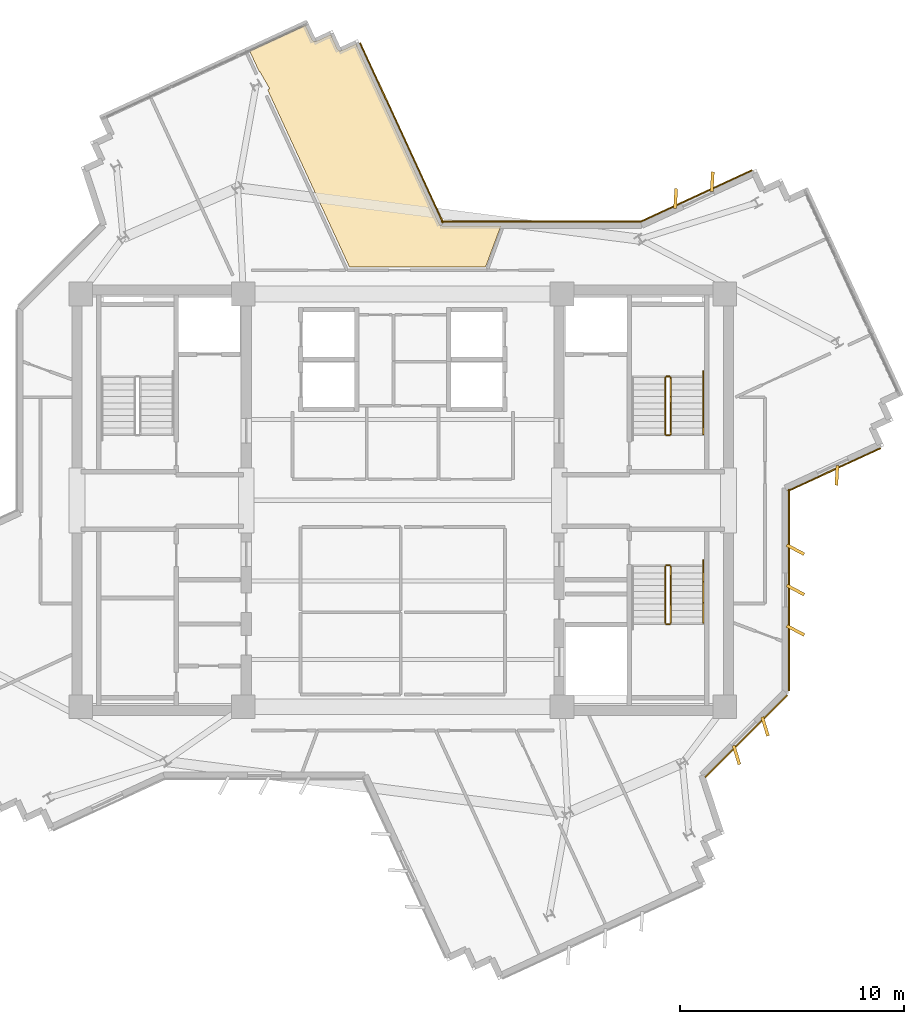
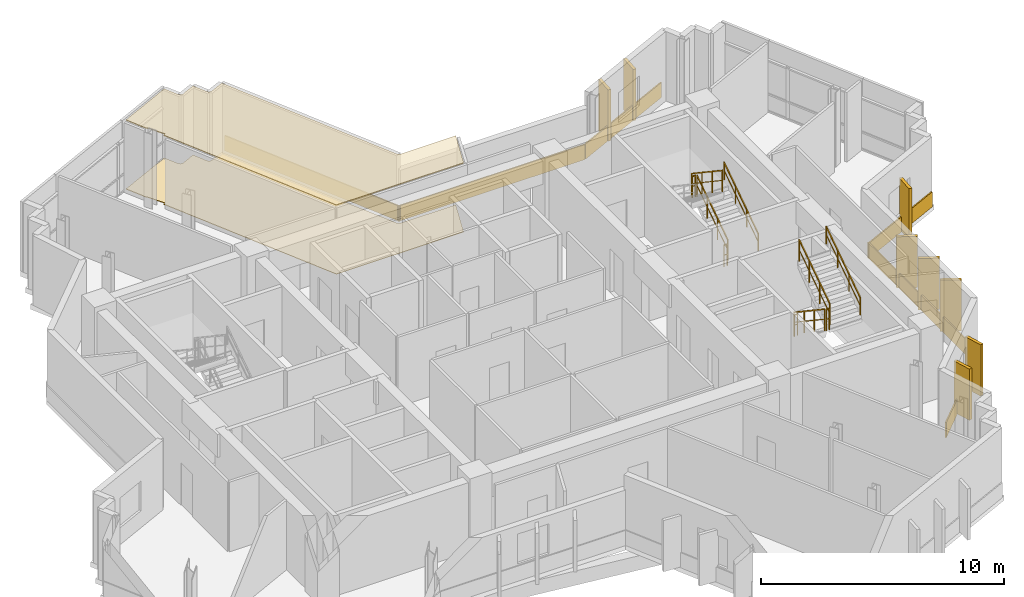
# One storey, part 12 of 12: 16 coverings, 10 railings.
"""IFC4 building model written with IfcOpenShell, lengths in metres."""

from ifc_helpers import new_model, si_unit, direction, frame, origin, origin_2d, place, context, subcontext, project, spatial, polyline, rectangle, outline, extrude, source, transform, mapped, material, layer, layer_set, type_object, element, save


model = new_model("IFC4")

# Units and contexts
model_context = context("Model", 3, precision=1e-05, world=origin(), true_north=direction((0.0, 1.0)))
body_context = subcontext(model_context, "Body", "Model", "MODEL_VIEW")
ifc_project = project(units=[si_unit("LENGTHUNIT", "METRE"), si_unit("AREAUNIT", "SQUARE_METRE"), si_unit("VOLUMEUNIT", "CUBIC_METRE"), si_unit("PLANEANGLEUNIT", "RADIAN"), si_unit("MASSUNIT", "GRAM", prefix="KILO")], contexts=[model_context])

# Site, building, storey
site_placement = place(None, origin())
site = spatial("IfcSite", under=ifc_project, at=site_placement, CompositionType="ELEMENT")
building_placement = place(site_placement, origin())
building = spatial("IfcBuilding", under=site, at=building_placement, Name="Zahravan Cultural Tower", CompositionType="ELEMENT")
storey_placement = place(building_placement, frame((0.0, 0.0, 246.60009765625)))
storey = spatial("IfcBuildingStorey", under=building, at=storey_placement, Name="L58", CompositionType="ELEMENT", Elevation=246.60009765625)

# Coverings
ifc_material_1 = material(Name="Acoustic mineral fibreboard")
ifc_layer_1 = layer(ifc_material_1, 0.0400390625)
ifc_layer_set_1 = layer_set([ifc_layer_1], Name="Acoustic mineral fibreboard")
covering_type_1 = type_object("IfcCoveringType", Name="COV-CEIL-AC20", PredefinedType="CEILING", material=ifc_layer_set_1)
covering_1_placement = place(storey_placement, frame((0.0, 0.0, 3.4599609375)))
element("IfcCovering", 1, at=covering_1_placement, inside=storey, type_object=covering_type_1, Name="L58 Acoustic Suspended Ceiling", PredefinedType="CEILING", context=body_context, shape_type="SweptSolid", body=[
    extrude(outline(polyline([(29.62890625, 46.115234375), (30.06884765625, 45.353271484375), (29.978271484375, 45.301025390625), (33.629150390625, 37.39990234375), (39.691650390625, 37.39990234375), (40.37841796875, 39.239990234375), (37.753662109375, 39.239990234375), (37.701416015625, 39.25), (37.650146484375, 39.28271484375), (37.619140625, 39.325927734375), (33.915283203125, 47.341552734375), (33.2802734375, 47.048095703125), (33.212646484375, 47.03515625), (33.13720703125, 47.058837890625), (33.086181640625, 47.110595703125), (32.787353515625, 47.756591796875), (32.15380859375, 47.464111328125), (32.100341796875, 47.451171875), (32.0380859375, 47.460693359375), (31.984130859375, 47.493896484375), (31.951904296875, 47.5380859375), (31.6591796875, 48.171630859375), (29.180908203125, 47.026611328125), (29.607666015625, 46.10302734375), (29.62890625, 46.115234375)])), origin(), (0.0, 0.0, 1.0), 0.0400390625),
])
ifc_material_2 = material(Name="Terrazzo flooring")
ifc_layer_2 = layer(ifc_material_2, 0.02490234375)
ifc_layer_set_2 = layer_set([ifc_layer_2], Name="Terrazzo flooring")
covering_type_2 = type_object("IfcCoveringType", Name="COV-FLR-TZ25", PredefinedType="FLOORING", material=ifc_layer_set_2)
covering_2_placement = place(storey_placement, origin())
element("IfcCovering", 2, at=covering_2_placement, inside=storey, type_object=covering_type_2, Name="L58 Polished Terrazzo Flooring", PredefinedType="FLOORING", context=body_context, shape_type="SweptSolid", body=[
    extrude(outline(polyline([(29.62890625, 46.115234375), (30.06884765625, 45.353271484375), (29.978271484375, 45.301025390625), (33.629150390625, 37.39990234375), (39.691650390625, 37.39990234375), (40.37841796875, 39.239990234375), (37.753662109375, 39.239990234375), (37.701416015625, 39.25), (37.650146484375, 39.28271484375), (37.619140625, 39.325927734375), (33.915283203125, 47.341552734375), (33.2802734375, 47.048095703125), (33.212646484375, 47.03515625), (33.13720703125, 47.058837890625), (33.086181640625, 47.110595703125), (32.787353515625, 47.756591796875), (32.15380859375, 47.464111328125), (32.100341796875, 47.451171875), (32.0380859375, 47.460693359375), (31.984130859375, 47.493896484375), (31.951904296875, 47.5380859375), (31.6591796875, 48.171630859375), (29.180908203125, 47.026611328125), (29.607666015625, 46.10302734375), (29.62890625, 46.115234375)])), origin(), (0.0, 0.0, 1.0), 0.02490234375),
])

# Railings
ifc_material_3 = material(Name="Steel ASTM A572 Grade 50", Category="steel")
railing_type_1 = type_object("IfcRailingType", Name="RL-STAIR-GRD1150", PredefinedType="BALUSTRADE", material=ifc_material_3)
railing_1_placement = place(storey_placement, frame((47.949951171875, 29.949951171875, 0.1875)))
element("IfcRailing", 3, at=railing_1_placement, inside=storey, type_object=railing_type_1, Name="L58 ST-E1 stair guard 1", PredefinedType="BALUSTRADE", context=body_context, shape_type="SweptSolid", body=[
    extrude(rectangle(XDim=0.05, YDim=0.05, at=origin_2d()), frame((0.0, 0.0, 1.0751953125), z_axis=(0.0, 0.830909170722, 0.55640807867), x_axis=(-1.0, 0.0, 0.0)), (0.0, 0.0, 1.0), 3.032958984375),
    extrude(rectangle(XDim=0.032, YDim=0.032, at=origin_2d()), frame((0.0, 0.0, 0.572021484375), z_axis=(0.0, 0.830909170722, 0.55640807867), x_axis=(-1.0, 0.0, 0.0)), (0.0, 0.0, 1.0), 3.032958984375),
    extrude(rectangle(XDim=0.04, YDim=0.04, at=origin_2d()), origin(), (0.0, 0.0, 1.0), 1.10009765625),
    extrude(rectangle(XDim=0.04, YDim=0.04, at=origin_2d()), frame((0.0, 0.840087890625, 0.5625)), (0.0, 0.0, 1.0), 1.10009765625),
    extrude(rectangle(XDim=0.04, YDim=0.04, at=origin_2d()), frame((0.0, 1.679931640625, 1.125)), (0.0, 0.0, 1.0), 1.10009765625),
    extrude(rectangle(XDim=0.04, YDim=0.04, at=origin_2d()), frame((0.0, 2.52001953125, 1.6875)), (0.0, 0.0, 1.0), 1.10009765625),
])
railing_2_placement = place(storey_placement, frame((47.89990234375, 32.52001953125, 1.875)))
element("IfcRailing", 4, at=railing_2_placement, inside=storey, type_object=railing_type_1, Name="L58 ST-E1 stair guard 2", PredefinedType="BALUSTRADE", context=body_context, shape_type="SweptSolid", body=[
    extrude(rectangle(XDim=0.05, YDim=0.05, at=origin_2d()), frame((0.0, 0.0, 1.0751953125), z_axis=(-1.0, 0.0, 0.0), x_axis=(0.0, -1.0, 0.0)), (0.0, 0.0, 1.0), 0.14990234375),
    extrude(rectangle(XDim=0.032, YDim=0.032, at=origin_2d()), frame((0.0, 0.0, 0.572021484375), z_axis=(-1.0, 0.0, 0.0), x_axis=(0.0, -1.0, 0.0)), (0.0, 0.0, 1.0), 0.14990234375),
    extrude(rectangle(XDim=0.04, YDim=0.04, at=origin_2d()), origin(), (0.0, 0.0, 1.0), 1.10009765625),
    extrude(rectangle(XDim=0.04, YDim=0.04, at=origin_2d()), frame((-0.14990234375, 0.0, 0.0)), (0.0, 0.0, 1.0), 1.10009765625),
])
railing_3_placement = place(storey_placement, frame((47.699951171875, 32.469970703125, 2.0625)))
element("IfcRailing", 5, at=railing_3_placement, inside=storey, type_object=railing_type_1, Name="L58 ST-E1 stair guard 3", PredefinedType="BALUSTRADE", context=body_context, shape_type="SweptSolid", body=[
    extrude(rectangle(XDim=0.05, YDim=0.05, at=origin_2d()), frame((0.0, 0.0, 1.0751953125), z_axis=(0.0, -0.830909170722, 0.55640807867), x_axis=(1.0, 0.0, 0.0)), (0.0, 0.0, 1.0), 3.032958984375),
    extrude(rectangle(XDim=0.032, YDim=0.032, at=origin_2d()), frame((0.0, 0.0, 0.572021484375), z_axis=(0.0, -0.830909170722, 0.55640807867), x_axis=(1.0, 0.0, 0.0)), (0.0, 0.0, 1.0), 3.032958984375),
    extrude(rectangle(XDim=0.04, YDim=0.04, at=origin_2d()), origin(), (0.0, 0.0, 1.0), 1.10009765625),
    extrude(rectangle(XDim=0.04, YDim=0.04, at=origin_2d()), frame((0.0, -0.840087890625, 0.5625)), (0.0, 0.0, 1.0), 1.10009765625),
    extrude(rectangle(XDim=0.04, YDim=0.04, at=origin_2d()), frame((0.0, -1.679931640625, 1.125)), (0.0, 0.0, 1.0), 1.10009765625),
    extrude(rectangle(XDim=0.04, YDim=0.04, at=origin_2d()), frame((0.0, -2.52001953125, 1.6875)), (0.0, 0.0, 1.0), 1.10009765625),
])
railing_4_placement = place(storey_placement, frame((47.89990234375, 29.89990234375, 0.0)))
element("IfcRailing", 6, at=railing_4_placement, inside=storey, type_object=railing_type_1, Name="L58 ST-E1 stair guard 4", PredefinedType="BALUSTRADE", context=body_context, shape_type="SweptSolid", body=[
    extrude(rectangle(XDim=0.05, YDim=0.05, at=origin_2d()), frame((0.0, 0.0, 1.0751953125), z_axis=(-1.0, 0.0, 0.0), x_axis=(0.0, -1.0, 0.0)), (0.0, 0.0, 1.0), 0.14990234375),
    extrude(rectangle(XDim=0.032, YDim=0.032, at=origin_2d()), frame((0.0, 0.0, 0.572021484375), z_axis=(-1.0, 0.0, 0.0), x_axis=(0.0, -1.0, 0.0)), (0.0, 0.0, 1.0), 0.14990234375),
    extrude(rectangle(XDim=0.04, YDim=0.04, at=origin_2d()), origin(), (0.0, 0.0, 1.0), 1.10009765625),
    extrude(rectangle(XDim=0.04, YDim=0.04, at=origin_2d()), frame((-0.14990234375, 0.0, 0.0)), (0.0, 0.0, 1.0), 1.10009765625),
])
railing_5_placement = place(storey_placement, frame((47.699951171875, 24.050048828125, 0.1875)))
element("IfcRailing", 7, at=railing_5_placement, inside=storey, type_object=railing_type_1, Name="L58 ST-E2 stair guard 1", PredefinedType="BALUSTRADE", context=body_context, shape_type="SweptSolid", body=[
    extrude(rectangle(XDim=0.05, YDim=0.05, at=origin_2d()), frame((0.0, 0.0, 1.0751953125), z_axis=(0.0, -0.830909170722, 0.55640807867), x_axis=(1.0, 0.0, 0.0)), (0.0, 0.0, 1.0), 3.032958984375),
    extrude(rectangle(XDim=0.032, YDim=0.032, at=origin_2d()), frame((0.0, 0.0, 0.572021484375), z_axis=(0.0, -0.830909170722, 0.55640807867), x_axis=(1.0, 0.0, 0.0)), (0.0, 0.0, 1.0), 3.032958984375),
    extrude(rectangle(XDim=0.04, YDim=0.04, at=origin_2d()), origin(), (0.0, 0.0, 1.0), 1.10009765625),
    extrude(rectangle(XDim=0.04, YDim=0.04, at=origin_2d()), frame((0.0, -0.840087890625, 0.5625)), (0.0, 0.0, 1.0), 1.10009765625),
    extrude(rectangle(XDim=0.04, YDim=0.04, at=origin_2d()), frame((0.0, -1.679931640625, 1.125)), (0.0, 0.0, 1.0), 1.10009765625),
    extrude(rectangle(XDim=0.04, YDim=0.04, at=origin_2d()), frame((0.0, -2.52001953125, 1.6875)), (0.0, 0.0, 1.0), 1.10009765625),
])
railing_6_placement = place(storey_placement, frame((47.75, 21.47998046875, 1.875)))
element("IfcRailing", 8, at=railing_6_placement, inside=storey, type_object=railing_type_1, Name="L58 ST-E2 stair guard 2", PredefinedType="BALUSTRADE", context=body_context, shape_type="SweptSolid", body=[
    extrude(rectangle(XDim=0.05, YDim=0.05, at=origin_2d()), frame((0.0, 0.0, 1.0751953125), z_axis=(1.0, 0.0, 0.0), x_axis=(0.0, 1.0, 0.0)), (0.0, 0.0, 1.0), 0.14990234375),
    extrude(rectangle(XDim=0.032, YDim=0.032, at=origin_2d()), frame((0.0, 0.0, 0.572021484375), z_axis=(1.0, 0.0, 0.0), x_axis=(0.0, 1.0, 0.0)), (0.0, 0.0, 1.0), 0.14990234375),
    extrude(rectangle(XDim=0.04, YDim=0.04, at=origin_2d()), origin(), (0.0, 0.0, 1.0), 1.10009765625),
    extrude(rectangle(XDim=0.04, YDim=0.04, at=origin_2d()), frame((0.14990234375, 0.0, 0.0)), (0.0, 0.0, 1.0), 1.10009765625),
])
railing_7_placement = place(storey_placement, frame((47.949951171875, 21.530029296875, 2.0625)))
element("IfcRailing", 9, at=railing_7_placement, inside=storey, type_object=railing_type_1, Name="L58 ST-E2 stair guard 3", PredefinedType="BALUSTRADE", context=body_context, shape_type="SweptSolid", body=[
    extrude(rectangle(XDim=0.05, YDim=0.05, at=origin_2d()), frame((0.0, 0.0, 1.0751953125), z_axis=(0.0, 0.830909170722, 0.55640807867), x_axis=(-1.0, 0.0, 0.0)), (0.0, 0.0, 1.0), 3.032958984375),
    extrude(rectangle(XDim=0.032, YDim=0.032, at=origin_2d()), frame((0.0, 0.0, 0.572021484375), z_axis=(0.0, 0.830909170722, 0.55640807867), x_axis=(-1.0, 0.0, 0.0)), (0.0, 0.0, 1.0), 3.032958984375),
    extrude(rectangle(XDim=0.04, YDim=0.04, at=origin_2d()), origin(), (0.0, 0.0, 1.0), 1.10009765625),
    extrude(rectangle(XDim=0.04, YDim=0.04, at=origin_2d()), frame((0.0, 0.840087890625, 0.5625)), (0.0, 0.0, 1.0), 1.10009765625),
    extrude(rectangle(XDim=0.04, YDim=0.04, at=origin_2d()), frame((0.0, 1.679931640625, 1.125)), (0.0, 0.0, 1.0), 1.10009765625),
    extrude(rectangle(XDim=0.04, YDim=0.04, at=origin_2d()), frame((0.0, 2.52001953125, 1.6875)), (0.0, 0.0, 1.0), 1.10009765625),
])
railing_8_placement = place(storey_placement, frame((47.75, 24.10009765625, 0.0)))
element("IfcRailing", 10, at=railing_8_placement, inside=storey, type_object=railing_type_1, Name="L58 ST-E2 stair guard 4", PredefinedType="BALUSTRADE", context=body_context, shape_type="SweptSolid", body=[
    extrude(rectangle(XDim=0.05, YDim=0.05, at=origin_2d()), frame((0.0, 0.0, 1.0751953125), z_axis=(1.0, 0.0, 0.0), x_axis=(0.0, 1.0, 0.0)), (0.0, 0.0, 1.0), 0.14990234375),
    extrude(rectangle(XDim=0.032, YDim=0.032, at=origin_2d()), frame((0.0, 0.0, 0.572021484375), z_axis=(1.0, 0.0, 0.0), x_axis=(0.0, 1.0, 0.0)), (0.0, 0.0, 1.0), 0.14990234375),
    extrude(rectangle(XDim=0.04, YDim=0.04, at=origin_2d()), origin(), (0.0, 0.0, 1.0), 1.10009765625),
    extrude(rectangle(XDim=0.04, YDim=0.04, at=origin_2d()), frame((0.14990234375, 0.0, 0.0)), (0.0, 0.0, 1.0), 1.10009765625),
])
railing_type_2 = type_object("IfcRailingType", Name="RL-STAIR-HR900", PredefinedType="HANDRAIL", material=ifc_material_3)
for number, where, name in (
    (11, (49.39990234375, 29.949951171875, 0.1875), "L58 ST-E1 stair handrail 1"),
    (12, (49.39990234375, 21.530029296875, 2.0625), "L58 ST-E2 stair handrail 2"),
):
    element("IfcRailing", number, at=place(storey_placement, frame(where)), inside=storey, type_object=railing_type_2, Name=name, PredefinedType="HANDRAIL", context=body_context, shape_type="SweptSolid", body=[
        extrude(rectangle(XDim=0.05, YDim=0.05, at=origin_2d()), frame((0.0, 0.0, 0.875), z_axis=(0.0, 0.830911662861, 0.55640435703), x_axis=(-1.0, 0.0, 0.0)), (0.0, 0.0, 1.0), 3.369873046875),
        extrude(rectangle(XDim=0.032, YDim=0.032, at=origin_2d()), frame((0.0, 0.0, 0.468017578125), z_axis=(0.0, 0.830911662861, 0.55640435703), x_axis=(-1.0, 0.0, 0.0)), (0.0, 0.0, 1.0), 3.369873046875),
        extrude(rectangle(XDim=0.04, YDim=0.04, at=origin_2d()), origin(), (0.0, 0.0, 1.0), 0.89990234375),
        extrude(rectangle(XDim=0.04, YDim=0.04, at=origin_2d()), frame((0.0, 0.933349609375, 0.625)), (0.0, 0.0, 1.0), 0.89990234375),
        extrude(rectangle(XDim=0.04, YDim=0.04, at=origin_2d()), frame((0.0, 1.86669921875, 1.25)), (0.0, 0.0, 1.0), 0.89990234375),
        extrude(rectangle(XDim=0.04, YDim=0.04, at=origin_2d()), frame((0.0, 2.800048828125, 1.875)), (0.0, 0.0, 1.0), 0.89990234375),
    ])

# Coverings
ifc_material_4 = material(Name="Terracotta ceramic cladding", Category="masonry")
ifc_layer_3 = layer(ifc_material_4, 0.06005859375)
ifc_layer_set_3 = layer_set([ifc_layer_3], Name="Terracotta ceramic cladding")
covering_type_3 = type_object("IfcCoveringType", Name="COV-CLAD-TC60", PredefinedType="CLADDING", material=ifc_layer_set_3)
shared_shape_1 = source(origin(), body_context, "Body", "SweptSolid", [
    extrude(rectangle(XDim=5.157958984375, YDim=0.06005859375, at=origin_2d()), origin(), (0.0, 0.0, 1.0), 0.760009765625),
])
covering_3_placement = place(storey_placement, frame((51.317626953125, 16.482421875, 0.02001953125), z_axis=(0.0, 0.0, 1.0), x_axis=(-0.707106781187, -0.707106781187, 0.0)))
element("IfcCovering", 13, at=covering_3_placement, inside=storey, type_object=covering_type_3, Name="L58 Terracotta Spandrel Cladding 12", PredefinedType="CLADDING", context=body_context, shape_type="MappedRepresentation", body=[
    mapped(shared_shape_1, transform((0.0, 0.0, 0.0), x_axis=(1.0, 0.0, 0.0), y_axis=(0.0, 1.0, 0.0), z_axis=(0.0, 0.0, 1.0), scale=1.0)),
])
shared_shape_2 = source(origin(), body_context, "Body", "SweptSolid", [
    extrude(rectangle(XDim=4.544189453125, YDim=0.06005859375, at=origin_2d()), origin(), (0.0, 0.0, 1.0), 0.760009765625),
])
covering_4_placement = place(storey_placement, frame((55.2373046875, 28.37060546875, 0.02001953125), z_axis=(0.0, 0.0, 1.0), x_axis=(-0.907770157575, -0.419467926088, 0.0)))
element("IfcCovering", 14, at=covering_4_placement, inside=storey, type_object=covering_type_3, Name="L58 Terracotta Spandrel Cladding 10", PredefinedType="CLADDING", context=body_context, shape_type="MappedRepresentation", body=[
    mapped(shared_shape_2, transform((0.0, 0.0, 0.0), x_axis=(1.0, 0.0, 0.0), y_axis=(0.0, 1.0, 0.0), z_axis=(0.0, 0.0, 1.0), scale=1.0)),
])
shared_shape_3 = source(origin(), body_context, "Body", "SweptSolid", [
    extrude(rectangle(XDim=5.445068359375, YDim=0.06005859375, at=origin_2d()), origin(), (0.0, 0.0, 1.0), 0.760009765625),
])
covering_5_placement = place(storey_placement, frame((49.102783203125, 40.57275390625, 0.02001953125), z_axis=(0.0, 0.0, 1.0), x_axis=(0.907777478533, 0.419452082446, 0.0)))
element("IfcCovering", 15, at=covering_5_placement, inside=storey, type_object=covering_type_3, Name="L58 Terracotta Spandrel Cladding 01", PredefinedType="CLADDING", context=body_context, shape_type="MappedRepresentation", body=[
    mapped(shared_shape_3, transform((0.0, 0.0, 0.0), x_axis=(1.0, 0.0, 0.0), y_axis=(0.0, 1.0, 0.0), z_axis=(0.0, 0.0, 1.0), scale=1.0)),
])
shared_shape_4 = source(origin(), body_context, "Body", "SweptSolid", [
    extrude(rectangle(XDim=0.8798828125, YDim=0.139892578125, at=origin_2d()), origin(), (0.0, 0.0, 1.0), 2.580078125),
])
for number, where, z_axis, x_axis, name in (
    (16, (48.166259765625, 40.453857421875, 0.0498046875), (0.0, 0.0, 1.0), (0.055821504993, 0.998440764182, 0.0), "L58 Herringbone Terracotta Fin 01"),
    (17, (49.80029296875, 41.208984375, 0.0498046875), (0.0, 0.0, 1.0), (0.055821504993, 0.998440764182, 0.0), "L58 Herringbone Terracotta Fin 02"),
    (18, (55.356689453125, 28.11181640625, 0.0498046875), (0.0, 0.0, 1.0), (-0.055804078906, -0.998441738299, 0.0), "L58 Herringbone Terracotta Fin 03"),
    (19, (53.510009765625, 24.802001953125, 0.0498046875), (0.0, 0.0, 1.0), (0.882947592859, -0.469471562786, 0.0), "L58 Herringbone Terracotta Fin 04"),
    (20, (53.510009765625, 23.002197265625, 0.0498046875), (0.0, 0.0, 1.0), (0.882947592859, -0.469471562786, 0.0), "L58 Herringbone Terracotta Fin 05"),
    (21, (53.510009765625, 21.2021484375, 0.0498046875), (0.0, 0.0, 1.0), (0.882947592859, -0.469471562786, 0.0), "L58 Herringbone Terracotta Fin 06"),
    (22, (52.155517578125, 16.917236328125, 0.0498046875), (0.0, 0.0, 1.0), (0.292371704723, -0.956304755963, 0.0), "L58 Herringbone Terracotta Fin 07"),
    (23, (50.8828125, 15.644287109375, 0.0498046875), (0.0, 0.0, 1.0), (0.292371704723, -0.956304755963, 0.0), "L58 Herringbone Terracotta Fin 08"),
):
    element("IfcCovering", number, at=place(storey_placement, frame(where, z_axis=z_axis, x_axis=x_axis)), inside=storey, type_object=covering_type_3, Name=name, PredefinedType="CLADDING", context=body_context, shape_type="MappedRepresentation", body=[
        mapped(shared_shape_4, transform((0.0, 0.0, 0.0), x_axis=(1.0, 0.0, 0.0), y_axis=(0.0, 1.0, 0.0), z_axis=(0.0, 0.0, 1.0), scale=1.0)),
    ])
shared_shape_5 = source(origin(), body_context, "Body", "SweptSolid", [
    extrude(rectangle(XDim=8.98828125, YDim=0.06005859375, at=origin_2d()), origin(), (0.0, 0.0, 1.0), 0.760009765625),
])
covering_6_placement = place(storey_placement, frame((53.22509765625, 23.002197265625, 0.02001953125), z_axis=(0.0, 0.0, 1.0), x_axis=(0.0, -1.0, 0.0)))
element("IfcCovering", 24, at=covering_6_placement, inside=storey, type_object=covering_type_3, Name="L58 Terracotta Spandrel Cladding 11", PredefinedType="CLADDING", context=body_context, shape_type="MappedRepresentation", body=[
    mapped(shared_shape_5, transform((0.0, 0.0, 0.0), x_axis=(1.0, 0.0, 0.0), y_axis=(0.0, 1.0, 0.0), z_axis=(0.0, 0.0, 1.0), scale=1.0)),
])
shared_shape_6 = source(origin(), body_context, "Body", "SweptSolid", [
    extrude(rectangle(XDim=8.831787109375, YDim=0.06005859375, at=origin_2d()), origin(), (0.0, 0.0, 1.0), 0.760009765625),
])
covering_7_placement = place(storey_placement, frame((35.9482421875, 43.38330078125, 0.02001953125), z_axis=(0.0, 0.0, 1.0), x_axis=(0.419452082446, -0.907777478533, 0.0)))
element("IfcCovering", 25, at=covering_7_placement, inside=storey, type_object=covering_type_3, Name="L58 Terracotta Spandrel Cladding 47", PredefinedType="CLADDING", context=body_context, shape_type="MappedRepresentation", body=[
    mapped(shared_shape_6, transform((0.0, 0.0, 0.0), x_axis=(1.0, 0.0, 0.0), y_axis=(0.0, 1.0, 0.0), z_axis=(0.0, 0.0, 1.0), scale=1.0)),
])
shared_shape_7 = source(origin(), body_context, "Body", "SweptSolid", [
    extrude(rectangle(XDim=8.883544921875, YDim=0.06005859375, at=origin_2d()), origin(), (0.0, 0.0, 1.0), 0.760009765625),
])
covering_8_placement = place(storey_placement, frame((42.163330078125, 39.425048828125, 0.02001953125), z_axis=(0.0, 0.0, 1.0), x_axis=(1.0, 0.0, 0.0)))
element("IfcCovering", 26, at=covering_8_placement, inside=storey, type_object=covering_type_3, Name="L58 Terracotta Spandrel Cladding 48", PredefinedType="CLADDING", context=body_context, shape_type="MappedRepresentation", body=[
    mapped(shared_shape_7, transform((0.0, 0.0, 0.0), x_axis=(1.0, 0.0, 0.0), y_axis=(0.0, 1.0, 0.0), z_axis=(0.0, 0.0, 1.0), scale=1.0)),
])

save(model, "model.ifc")
